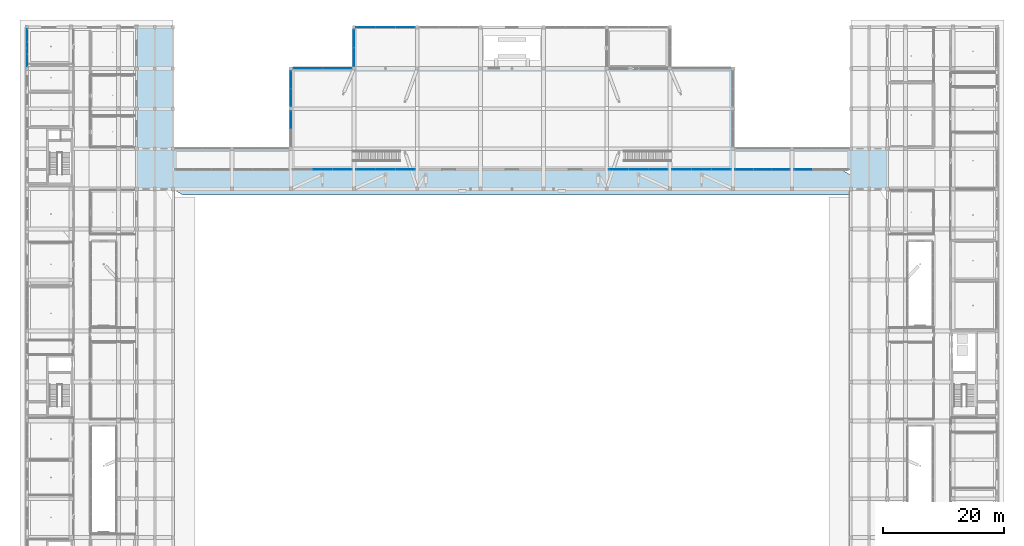
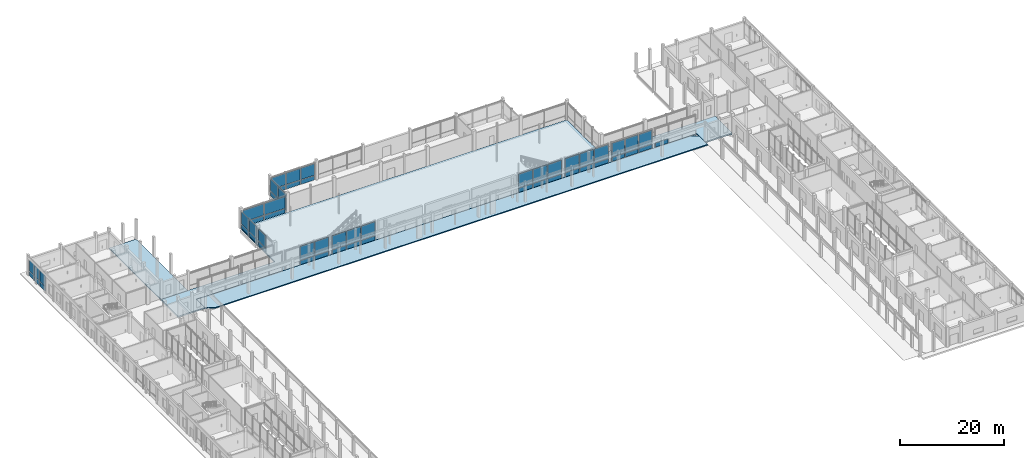
# One storey, part 42 of 88: 55 plates, 3 slabs, 12 elements without a shape of their own.
"""IFC4 building model written with IfcOpenShell, lengths in metres."""

from ifc_helpers import new_model, si_unit, derived_unit, direction, frame, origin, origin_2d, place, context, subcontext, project, spatial, polyline, rectangle, outline, extrude, material, layer, layer_set, type_object, element, aggregate, save


model = new_model("IFC4")

# Units and contexts
model_context = context("Model", 3, precision=1e-05, world=origin(), true_north=direction((0.0, 1.0)))
body_context = subcontext(model_context, "Body", "Model", "MODEL_VIEW")
ifc_project = project(units=[si_unit("LENGTHUNIT", "METRE"), si_unit("AREAUNIT", "SQUARE_METRE"), si_unit("VOLUMEUNIT", "CUBIC_METRE"), si_unit("PLANEANGLEUNIT", "RADIAN"), si_unit("MASSUNIT", "GRAM", prefix="KILO"), derived_unit("THERMALTRANSMITTANCEUNIT", [(si_unit("POWERUNIT", "WATT"), 1), (si_unit("LENGTHUNIT", "METRE"), -2), (si_unit("THERMODYNAMICTEMPERATUREUNIT", "KELVIN"), -1)])], contexts=[model_context])

# Site, building, storey
site_placement = place(None, origin())
site = spatial("IfcSite", under=ifc_project, at=site_placement, CompositionType="ELEMENT")
building_placement = place(site_placement, origin())
building = spatial("IfcBuilding", under=site, at=building_placement, Name="Braskholm Square Health Centre", CompositionType="ELEMENT")
storey_placement = place(building_placement, origin())
storey = spatial("IfcBuildingStorey", under=building, at=storey_placement, Name="L01", CompositionType="ELEMENT", Elevation=0.0)

# Slabs
ifc_material_1 = material(Name="Precast concrete C40/50 architectural white", Category="concrete")
ifc_layer_1 = layer(ifc_material_1, 0.22509765625)
ifc_layer_set_1 = layer_set([ifc_layer_1], Name="Precast concrete C40/50 architectural white")
slab_type_1 = type_object("IfcSlabType", Name="ColonnadeWalkwaySlab225", PredefinedType="FLOOR", material=ifc_layer_set_1)
slab_1_placement = place(storey_placement, frame((0.0, 0.0, -0.22509765625)))
element("IfcSlab", 1, at=slab_1_placement, inside=storey, type_object=slab_type_1, Name="Northwest garden colonnade walkway", PredefinedType="FLOOR", context=body_context, shape_type="SweptSolid", body=[
    extrude(outline(polyline([(22.199951171875, 93.800048828125), (28.199951171875, 93.800048828125), (28.199951171875, 113.800048828125), (22.199951171875, 113.800048828125), (22.199951171875, 93.800048828125)])), origin(), (0.0, 0.0, 1.0), 0.22509765625),
])
slab_2_placement = place(storey_placement, frame((0.0, 0.0, -0.22509765625)))
element("IfcSlab", 2, at=slab_2_placement, inside=storey, type_object=slab_type_1, Name="North Braskholm Square colonnaded entrance arcade and ziggurat portal deck", PredefinedType="FLOOR", context=body_context, shape_type="SweptSolid", body=[
    extrude(outline(polyline([(29.800048828125, 86.199951171875), (139.800048828125, 86.199951171875), (139.800048828125, 89.47607421875), (138.199951171875, 90.39990234375), (28.199951171875, 90.39990234375), (28.199951171875, 87.1240234375), (29.800048828125, 86.199951171875)])), origin(), (0.0, 0.0, 1.0), 0.22509765625),
])

# Curtain wall, plates
ifc_material_2 = material(Name="Low-E triple insulating glass (VLT 0.64)", Category="glass")
curtain_wall_type_1 = type_object("IfcCurtainWallType", Name="UnitisedCurtainWall6200x3800", PredefinedType="NOTDEFINED", material=ifc_material_2)
curtain_wall_1_placement = place(storey_placement, origin())
curtain_wall_1 = element("IfcCurtainWall", 3, at=curtain_wall_1_placement, inside=storey, type_object=curtain_wall_type_1, Name="West Storefront unitised curtain wall CW-L01-0005", PredefinedType="NOTDEFINED")
ifc_material_3 = material(Name="Architectural bronze anodised aluminium", Category="aluminium")
plate_type_1 = type_object("IfcPlateType", Name="CurtainPanelSpandrel1850x1020", PredefinedType="CURTAIN_PANEL", material=ifc_material_3)
plate_1_placement = place(storey_placement, frame((4.199951171875, 112.473388671875, 0.050048828125), z_axis=(0.0, 0.0, 1.0), x_axis=(0.0, -1.0, 0.0)))
plate_1 = element("IfcPlate", 4, at=plate_1_placement, type_object=plate_type_1, Name="CW-L01-0005 spandrel panel 1", PredefinedType="CURTAIN_PANEL", context=body_context, shape_type="SweptSolid", body=[
    extrude(rectangle(XDim=1.948974609375, YDim=0.035888671875, at=origin_2d()), origin(), (0.0, 0.0, 1.0), 1.02001953125),
])
plate_2_placement = place(storey_placement, frame((4.199951171875, 110.39990234375, 0.050048828125), z_axis=(0.0, 0.0, 1.0), x_axis=(0.0, -1.0, 0.0)))
plate_2 = element("IfcPlate", 5, at=plate_2_placement, type_object=plate_type_1, Name="CW-L01-0005 spandrel panel 2", PredefinedType="CURTAIN_PANEL", context=body_context, shape_type="SweptSolid", body=[
    extrude(rectangle(XDim=1.948974609375, YDim=0.035888671875, at=origin_2d()), origin(), (0.0, 0.0, 1.0), 1.02001953125),
])
plate_3_placement = place(storey_placement, frame((4.199951171875, 108.32666015625, 0.050048828125), z_axis=(0.0, 0.0, 1.0), x_axis=(0.0, -1.0, 0.0)))
plate_3 = element("IfcPlate", 6, at=plate_3_placement, type_object=plate_type_1, Name="CW-L01-0005 spandrel panel 3", PredefinedType="CURTAIN_PANEL", context=body_context, shape_type="SweptSolid", body=[
    extrude(rectangle(XDim=1.948974609375, YDim=0.035888671875, at=origin_2d()), origin(), (0.0, 0.0, 1.0), 1.02001953125),
])

curtain_wall_type_2 = type_object("IfcCurtainWallType", Name="UnitisedCurtainWall6200x4400", PredefinedType="NOTDEFINED", material=ifc_material_2)
curtain_wall_2_placement = place(storey_placement, origin())
curtain_wall_2 = element("IfcCurtainWall", 7, at=curtain_wall_2_placement, inside=storey, type_object=curtain_wall_type_2, Name="Hall Arcade unitised curtain wall CW-L01-0201", PredefinedType="NOTDEFINED")
plate_type_2 = type_object("IfcPlateType", Name="CurtainPanelSpandrel2750x1020", PredefinedType="CURTAIN_PANEL", material=ifc_material_3)
plate_4_placement = place(storey_placement, frame((122.216796875, 90.39990234375, 0.050048828125), z_axis=(0.0, 0.0, 1.0), x_axis=(1.0, 0.0, 0.0)))
plate_4 = element("IfcPlate", 8, at=plate_4_placement, type_object=plate_type_2, Name="CW-L01-0201 spandrel panel 1", PredefinedType="CURTAIN_PANEL", context=body_context, shape_type="SweptSolid", body=[
    extrude(rectangle(XDim=2.851318359375, YDim=0.035888671875, at=origin_2d()), origin(), (0.0, 0.0, 1.0), 1.02001953125),
])
plate_5_placement = place(storey_placement, frame((125.25, 90.39990234375, 0.050048828125), z_axis=(0.0, 0.0, 1.0), x_axis=(1.0, 0.0, 0.0)))
plate_5 = element("IfcPlate", 9, at=plate_5_placement, type_object=plate_type_2, Name="CW-L01-0201 spandrel panel 2", PredefinedType="CURTAIN_PANEL", context=body_context, shape_type="SweptSolid", body=[
    extrude(rectangle(XDim=2.851318359375, YDim=0.035888671875, at=origin_2d()), origin(), (0.0, 0.0, 1.0), 1.02001953125),
])
plate_6_placement = place(storey_placement, frame((128.283203125, 90.39990234375, 0.050048828125), z_axis=(0.0, 0.0, 1.0), x_axis=(1.0, 0.0, 0.0)))
plate_6 = element("IfcPlate", 10, at=plate_6_placement, type_object=plate_type_2, Name="CW-L01-0201 spandrel panel 3", PredefinedType="CURTAIN_PANEL", context=body_context, shape_type="SweptSolid", body=[
    extrude(rectangle(XDim=2.851318359375, YDim=0.035888671875, at=origin_2d()), origin(), (0.0, 0.0, 1.0), 1.02001953125),
])

# Curtain wall, plate
curtain_wall_3_placement = place(storey_placement, origin())
curtain_wall_3 = element("IfcCurtainWall", 11, at=curtain_wall_3_placement, inside=storey, type_object=curtain_wall_type_2, Name="Hall Arcade unitised curtain wall CW-L01-0207", PredefinedType="NOTDEFINED")
plate_7_placement = place(storey_placement, frame((131.916748046875, 90.39990234375, 0.050048828125), z_axis=(0.0, 0.0, 1.0), x_axis=(1.0, 0.0, 0.0)))
plate_7 = element("IfcPlate", 12, at=plate_7_placement, type_object=plate_type_2, Name="CW-L01-0207 spandrel panel 1", PredefinedType="CURTAIN_PANEL", context=body_context, shape_type="SweptSolid", body=[
    extrude(rectangle(XDim=2.851318359375, YDim=0.035888671875, at=origin_2d()), origin(), (0.0, 0.0, 1.0), 1.02001953125),
])
aggregate(curtain_wall_3, [plate_7])

# Curtain wall, plates
curtain_wall_type_3 = type_object("IfcCurtainWallType", Name="UnitisedCurtainWall6200x4100", PredefinedType="NOTDEFINED", material=ifc_material_2)
curtain_wall_4_placement = place(storey_placement, origin())
curtain_wall_4 = element("IfcCurtainWall", 13, at=curtain_wall_4_placement, inside=storey, type_object=curtain_wall_type_3, Name="Hall Cheek L01 unitised curtain wall CW-L01-0217", PredefinedType="NOTDEFINED")
plate_8_placement = place(storey_placement, frame((47.60009765625, 105.181884765625, 0.050048828125), z_axis=(0.0, 0.0, 1.0), x_axis=(0.0, -1.0, 0.0)))
plate_8 = element("IfcPlate", 14, at=plate_8_placement, type_object=plate_type_2, Name="CW-L01-0217 spandrel panel 1", PredefinedType="CURTAIN_PANEL", context=body_context, shape_type="SweptSolid", body=[
    extrude(rectangle(XDim=2.820068359375, YDim=0.035888671875, at=origin_2d()), origin(), (0.0, 0.0, 1.0), 1.02001953125),
])
plate_9_placement = place(storey_placement, frame((47.60009765625, 102.218017578125, 0.050048828125), z_axis=(0.0, 0.0, 1.0), x_axis=(0.0, -1.0, 0.0)))
plate_9 = element("IfcPlate", 15, at=plate_9_placement, type_object=plate_type_2, Name="CW-L01-0217 spandrel panel 2", PredefinedType="CURTAIN_PANEL", context=body_context, shape_type="SweptSolid", body=[
    extrude(rectangle(XDim=2.820068359375, YDim=0.035888671875, at=origin_2d()), origin(), (0.0, 0.0, 1.0), 1.02001953125),
])

# Curtain wall, plate
curtain_wall_5_placement = place(storey_placement, origin())
curtain_wall_5 = element("IfcCurtainWall", 16, at=curtain_wall_5_placement, inside=storey, type_object=curtain_wall_type_3, Name="Hall Cheek L01 unitised curtain wall CW-L01-0218", PredefinedType="NOTDEFINED")
plate_10_placement = place(storey_placement, frame((47.60009765625, 98.58203125, 0.050048828125), z_axis=(0.0, 0.0, 1.0), x_axis=(0.0, -1.0, 0.0)))
plate_10 = element("IfcPlate", 17, at=plate_10_placement, type_object=plate_type_2, Name="CW-L01-0218 spandrel panel 1", PredefinedType="CURTAIN_PANEL", context=body_context, shape_type="SweptSolid", body=[
    extrude(rectangle(XDim=2.820068359375, YDim=0.035888671875, at=origin_2d()), origin(), (0.0, 0.0, 1.0), 1.02001953125),
])

# Curtain wall, plates
curtain_wall_6_placement = place(storey_placement, origin())
curtain_wall_6 = element("IfcCurtainWall", 18, at=curtain_wall_6_placement, inside=storey, type_object=curtain_wall_type_3, Name="Hydrotherapy West unitised curtain wall CW-L01-0240", PredefinedType="NOTDEFINED")
plate_11_placement = place(storey_placement, frame((58.0, 111.931396484375, 0.050048828125), z_axis=(0.0, 0.0, 1.0), x_axis=(0.0, -1.0, 0.0)))
plate_11 = element("IfcPlate", 19, at=plate_11_placement, type_object=plate_type_2, Name="CW-L01-0240 spandrel panel 1", PredefinedType="CURTAIN_PANEL", context=body_context, shape_type="SweptSolid", body=[
    extrude(rectangle(XDim=2.9140625, YDim=0.035888671875, at=origin_2d()), origin(), (0.0, 0.0, 1.0), 1.02001953125),
])
plate_12_placement = place(storey_placement, frame((58.0, 108.86865234375, 0.050048828125), z_axis=(0.0, 0.0, 1.0), x_axis=(0.0, -1.0, 0.0)))
plate_12 = element("IfcPlate", 20, at=plate_12_placement, type_object=plate_type_2, Name="CW-L01-0240 spandrel panel 2", PredefinedType="CURTAIN_PANEL", context=body_context, shape_type="SweptSolid", body=[
    extrude(rectangle(XDim=2.9140625, YDim=0.035888671875, at=origin_2d()), origin(), (0.0, 0.0, 1.0), 1.02001953125),
])

curtain_wall_7_placement = place(storey_placement, origin())
curtain_wall_7 = element("IfcCurtainWall", 21, at=curtain_wall_7_placement, inside=storey, type_object=curtain_wall_type_2, Name="Hall Arcade unitised curtain wall CW-L01-0183", PredefinedType="NOTDEFINED")
plate_type_3 = type_object("IfcPlateType", Name="CurtainPanelSpandrel3150x1020", PredefinedType="CURTAIN_PANEL", material=ifc_material_3)
plate_13_placement = place(storey_placement, frame((52.800048828125, 90.39990234375, 0.050048828125), z_axis=(0.0, 0.0, 1.0), x_axis=(1.0, 0.0, 0.0)))
plate_13 = element("IfcPlate", 22, at=plate_13_placement, type_object=plate_type_3, Name="CW-L01-0183 spandrel panel 2", PredefinedType="CURTAIN_PANEL", context=body_context, shape_type="SweptSolid", body=[
    extrude(rectangle(XDim=3.07080078125, YDim=0.035888671875, at=origin_2d()), origin(), (0.0, 0.0, 1.0), 1.02001953125),
])
plate_14_placement = place(storey_placement, frame((56.066650390625, 90.39990234375, 0.050048828125), z_axis=(0.0, 0.0, 1.0), x_axis=(1.0, 0.0, 0.0)))
plate_14 = element("IfcPlate", 23, at=plate_14_placement, type_object=plate_type_3, Name="CW-L01-0183 spandrel panel 3", PredefinedType="CURTAIN_PANEL", context=body_context, shape_type="SweptSolid", body=[
    extrude(rectangle(XDim=3.07080078125, YDim=0.035888671875, at=origin_2d()), origin(), (0.0, 0.0, 1.0), 1.02001953125),
])

curtain_wall_8_placement = place(storey_placement, origin())
curtain_wall_8 = element("IfcCurtainWall", 24, at=curtain_wall_8_placement, inside=storey, type_object=curtain_wall_type_2, Name="Hall Arcade unitised curtain wall CW-L01-0186", PredefinedType="NOTDEFINED")
plate_15_placement = place(storey_placement, frame((59.933349609375, 90.39990234375, 0.050048828125), z_axis=(0.0, 0.0, 1.0), x_axis=(1.0, 0.0, 0.0)))
plate_15 = element("IfcPlate", 25, at=plate_15_placement, type_object=plate_type_3, Name="CW-L01-0186 spandrel panel 1", PredefinedType="CURTAIN_PANEL", context=body_context, shape_type="SweptSolid", body=[
    extrude(rectangle(XDim=3.07080078125, YDim=0.035888671875, at=origin_2d()), origin(), (0.0, 0.0, 1.0), 1.02001953125),
])
plate_16_placement = place(storey_placement, frame((63.199951171875, 90.39990234375, 0.050048828125), z_axis=(0.0, 0.0, 1.0), x_axis=(1.0, 0.0, 0.0)))
plate_16 = element("IfcPlate", 26, at=plate_16_placement, type_object=plate_type_3, Name="CW-L01-0186 spandrel panel 2", PredefinedType="CURTAIN_PANEL", context=body_context, shape_type="SweptSolid", body=[
    extrude(rectangle(XDim=3.07080078125, YDim=0.035888671875, at=origin_2d()), origin(), (0.0, 0.0, 1.0), 1.02001953125),
])
plate_17_placement = place(storey_placement, frame((66.466796875, 90.39990234375, 0.050048828125), z_axis=(0.0, 0.0, 1.0), x_axis=(1.0, 0.0, 0.0)))
plate_17 = element("IfcPlate", 27, at=plate_17_placement, type_object=plate_type_3, Name="CW-L01-0186 spandrel panel 3", PredefinedType="CURTAIN_PANEL", context=body_context, shape_type="SweptSolid", body=[
    extrude(rectangle(XDim=3.07080078125, YDim=0.035888671875, at=origin_2d()), origin(), (0.0, 0.0, 1.0), 1.02001953125),
])

curtain_wall_9_placement = place(storey_placement, origin())
curtain_wall_9 = element("IfcCurtainWall", 28, at=curtain_wall_9_placement, inside=storey, type_object=curtain_wall_type_2, Name="Hall Arcade unitised curtain wall CW-L01-0195", PredefinedType="NOTDEFINED")
plate_18_placement = place(storey_placement, frame((101.533203125, 90.39990234375, 0.050048828125), z_axis=(0.0, 0.0, 1.0), x_axis=(1.0, 0.0, 0.0)))
plate_18 = element("IfcPlate", 29, at=plate_18_placement, type_object=plate_type_3, Name="CW-L01-0195 spandrel panel 1", PredefinedType="CURTAIN_PANEL", context=body_context, shape_type="SweptSolid", body=[
    extrude(rectangle(XDim=3.07080078125, YDim=0.035888671875, at=origin_2d()), origin(), (0.0, 0.0, 1.0), 1.02001953125),
])
plate_19_placement = place(storey_placement, frame((104.800048828125, 90.39990234375, 0.050048828125), z_axis=(0.0, 0.0, 1.0), x_axis=(1.0, 0.0, 0.0)))
plate_19 = element("IfcPlate", 30, at=plate_19_placement, type_object=plate_type_3, Name="CW-L01-0195 spandrel panel 2", PredefinedType="CURTAIN_PANEL", context=body_context, shape_type="SweptSolid", body=[
    extrude(rectangle(XDim=3.07080078125, YDim=0.035888671875, at=origin_2d()), origin(), (0.0, 0.0, 1.0), 1.02001953125),
])
plate_20_placement = place(storey_placement, frame((108.066650390625, 90.39990234375, 0.050048828125), z_axis=(0.0, 0.0, 1.0), x_axis=(1.0, 0.0, 0.0)))
plate_20 = element("IfcPlate", 31, at=plate_20_placement, type_object=plate_type_3, Name="CW-L01-0195 spandrel panel 3", PredefinedType="CURTAIN_PANEL", context=body_context, shape_type="SweptSolid", body=[
    extrude(rectangle(XDim=3.07080078125, YDim=0.035888671875, at=origin_2d()), origin(), (0.0, 0.0, 1.0), 1.02001953125),
])

curtain_wall_10_placement = place(storey_placement, origin())
curtain_wall_10 = element("IfcCurtainWall", 32, at=curtain_wall_10_placement, inside=storey, type_object=curtain_wall_type_2, Name="Hall Arcade unitised curtain wall CW-L01-0198", PredefinedType="NOTDEFINED")
plate_21_placement = place(storey_placement, frame((111.933349609375, 90.39990234375, 0.050048828125), z_axis=(0.0, 0.0, 1.0), x_axis=(1.0, 0.0, 0.0)))
plate_21 = element("IfcPlate", 33, at=plate_21_placement, type_object=plate_type_3, Name="CW-L01-0198 spandrel panel 1", PredefinedType="CURTAIN_PANEL", context=body_context, shape_type="SweptSolid", body=[
    extrude(rectangle(XDim=3.07080078125, YDim=0.035888671875, at=origin_2d()), origin(), (0.0, 0.0, 1.0), 1.02001953125),
])
plate_22_placement = place(storey_placement, frame((115.199951171875, 90.39990234375, 0.050048828125), z_axis=(0.0, 0.0, 1.0), x_axis=(1.0, 0.0, 0.0)))
plate_22 = element("IfcPlate", 34, at=plate_22_placement, type_object=plate_type_3, Name="CW-L01-0198 spandrel panel 2", PredefinedType="CURTAIN_PANEL", context=body_context, shape_type="SweptSolid", body=[
    extrude(rectangle(XDim=3.07080078125, YDim=0.035888671875, at=origin_2d()), origin(), (0.0, 0.0, 1.0), 1.02001953125),
])
plate_23_placement = place(storey_placement, frame((118.466796875, 90.39990234375, 0.050048828125), z_axis=(0.0, 0.0, 1.0), x_axis=(1.0, 0.0, 0.0)))
plate_23 = element("IfcPlate", 35, at=plate_23_placement, type_object=plate_type_3, Name="CW-L01-0198 spandrel panel 3", PredefinedType="CURTAIN_PANEL", context=body_context, shape_type="SweptSolid", body=[
    extrude(rectangle(XDim=3.07080078125, YDim=0.035888671875, at=origin_2d()), origin(), (0.0, 0.0, 1.0), 1.02001953125),
])

curtain_wall_11_placement = place(storey_placement, origin())
curtain_wall_11 = element("IfcCurtainWall", 36, at=curtain_wall_11_placement, inside=storey, type_object=curtain_wall_type_3, Name="Hydrotherapy North unitised curtain wall CW-L01-0236", PredefinedType="NOTDEFINED")
plate_24_placement = place(storey_placement, frame((66.466796875, 113.800048828125, 0.050048828125), z_axis=(0.0, 0.0, 1.0), x_axis=(-1.0, 0.0, 0.0)))
plate_24 = element("IfcPlate", 37, at=plate_24_placement, type_object=plate_type_3, Name="CW-L01-0236 spandrel panel 1", PredefinedType="CURTAIN_PANEL", context=body_context, shape_type="SweptSolid", body=[
    extrude(rectangle(XDim=3.07080078125, YDim=0.035888671875, at=origin_2d()), origin(), (0.0, 0.0, 1.0), 1.02001953125),
])
plate_25_placement = place(storey_placement, frame((63.199951171875, 113.800048828125, 0.050048828125), z_axis=(0.0, 0.0, 1.0), x_axis=(-1.0, 0.0, 0.0)))
plate_25 = element("IfcPlate", 38, at=plate_25_placement, type_object=plate_type_3, Name="CW-L01-0236 spandrel panel 2", PredefinedType="CURTAIN_PANEL", context=body_context, shape_type="SweptSolid", body=[
    extrude(rectangle(XDim=3.07080078125, YDim=0.035888671875, at=origin_2d()), origin(), (0.0, 0.0, 1.0), 1.02001953125),
])
plate_26_placement = place(storey_placement, frame((59.933349609375, 113.800048828125, 0.050048828125), z_axis=(0.0, 0.0, 1.0), x_axis=(-1.0, 0.0, 0.0)))
plate_26 = element("IfcPlate", 39, at=plate_26_placement, type_object=plate_type_3, Name="CW-L01-0236 spandrel panel 3", PredefinedType="CURTAIN_PANEL", context=body_context, shape_type="SweptSolid", body=[
    extrude(rectangle(XDim=3.07080078125, YDim=0.035888671875, at=origin_2d()), origin(), (0.0, 0.0, 1.0), 1.02001953125),
])

curtain_wall_12_placement = place(storey_placement, origin())
curtain_wall_12 = element("IfcCurtainWall", 40, at=curtain_wall_12_placement, inside=storey, type_object=curtain_wall_type_3, Name="Hall North unitised curtain wall CW-L01-0213", PredefinedType="NOTDEFINED")
plate_type_4 = type_object("IfcPlateType", Name="CurtainPanelSpandrel4350x1020", PredefinedType="CURTAIN_PANEL", material=ifc_material_3)
plate_27_placement = place(storey_placement, frame((55.220703125, 107.0, 0.050048828125), z_axis=(0.0, 0.0, 1.0), x_axis=(-1.0, 0.0, 0.0)))
plate_27 = element("IfcPlate", 41, at=plate_27_placement, type_object=plate_type_4, Name="CW-L01-0213 spandrel panel 1", PredefinedType="CURTAIN_PANEL", context=body_context, shape_type="SweptSolid", body=[
    extrude(rectangle(XDim=4.60595703125, YDim=0.035888671875, at=origin_2d()), origin(), (0.0, 0.0, 1.0), 1.02001953125),
])
plate_28_placement = place(storey_placement, frame((50.37939453125, 107.0, 0.050048828125), z_axis=(0.0, 0.0, 1.0), x_axis=(-1.0, 0.0, 0.0)))
plate_28 = element("IfcPlate", 42, at=plate_28_placement, type_object=plate_type_4, Name="CW-L01-0213 spandrel panel 2", PredefinedType="CURTAIN_PANEL", context=body_context, shape_type="SweptSolid", body=[
    extrude(rectangle(XDim=4.60595703125, YDim=0.035888671875, at=origin_2d()), origin(), (0.0, 0.0, 1.0), 1.02001953125),
])

# Plate
plate_type_5 = type_object("IfcPlateType", Name="CurtainPanelVision1850x2520", PredefinedType="CURTAIN_PANEL", material=ifc_material_2)
plate_29_placement = place(storey_placement, frame((4.199951171875, 112.473388671875, 1.169921875), z_axis=(0.0, 0.0, 1.0), x_axis=(0.0, -1.0, 0.0)))
plate_29 = element("IfcPlate", 43, at=plate_29_placement, type_object=plate_type_5, Name="CW-L01-0005 vision glass panel 1", PredefinedType="CURTAIN_PANEL", context=body_context, shape_type="SweptSolid", body=[
    extrude(rectangle(XDim=1.948974609375, YDim=0.035888671875, at=origin_2d()), origin(), (0.0, 0.0, 1.0), 2.590087890625),
])

plate_30_placement = place(storey_placement, frame((4.199951171875, 110.39990234375, 1.169921875), z_axis=(0.0, 0.0, 1.0), x_axis=(0.0, -1.0, 0.0)))
plate_30 = element("IfcPlate", 44, at=plate_30_placement, type_object=plate_type_5, Name="CW-L01-0005 vision glass panel 2", PredefinedType="CURTAIN_PANEL", context=body_context, shape_type="SweptSolid", body=[
    extrude(rectangle(XDim=1.948974609375, YDim=0.035888671875, at=origin_2d()), origin(), (0.0, 0.0, 1.0), 2.590087890625),
])

plate_31_placement = place(storey_placement, frame((4.199951171875, 108.32666015625, 1.169921875), z_axis=(0.0, 0.0, 1.0), x_axis=(0.0, -1.0, 0.0)))
plate_31 = element("IfcPlate", 45, at=plate_31_placement, type_object=plate_type_5, Name="CW-L01-0005 vision glass panel 3", PredefinedType="CURTAIN_PANEL", context=body_context, shape_type="SweptSolid", body=[
    extrude(rectangle(XDim=1.948974609375, YDim=0.035888671875, at=origin_2d()), origin(), (0.0, 0.0, 1.0), 2.590087890625),
])

aggregate(curtain_wall_1, [plate_1, plate_29, plate_2, plate_30, plate_3, plate_31])

plate_type_6 = type_object("IfcPlateType", Name="CurtainPanelVision2750x2950", PredefinedType="CURTAIN_PANEL", material=ifc_material_2)
plate_32_placement = place(storey_placement, frame((122.216796875, 90.39990234375, 1.169921875), z_axis=(0.0, 0.0, 1.0), x_axis=(1.0, 0.0, 0.0)))
plate_32 = element("IfcPlate", 46, at=plate_32_placement, type_object=plate_type_6, Name="CW-L01-0201 vision glass panel 1", PredefinedType="CURTAIN_PANEL", context=body_context, shape_type="SweptSolid", body=[
    extrude(rectangle(XDim=2.851318359375, YDim=0.035888671875, at=origin_2d()), origin(), (0.0, 0.0, 1.0), 3.219970703125),
])

plate_33_placement = place(storey_placement, frame((125.25, 90.39990234375, 1.169921875), z_axis=(0.0, 0.0, 1.0), x_axis=(1.0, 0.0, 0.0)))
plate_33 = element("IfcPlate", 47, at=plate_33_placement, type_object=plate_type_6, Name="CW-L01-0201 vision glass panel 2", PredefinedType="CURTAIN_PANEL", context=body_context, shape_type="SweptSolid", body=[
    extrude(rectangle(XDim=2.851318359375, YDim=0.035888671875, at=origin_2d()), origin(), (0.0, 0.0, 1.0), 3.219970703125),
])

plate_34_placement = place(storey_placement, frame((128.283203125, 90.39990234375, 1.169921875), z_axis=(0.0, 0.0, 1.0), x_axis=(1.0, 0.0, 0.0)))
plate_34 = element("IfcPlate", 48, at=plate_34_placement, type_object=plate_type_6, Name="CW-L01-0201 vision glass panel 3", PredefinedType="CURTAIN_PANEL", context=body_context, shape_type="SweptSolid", body=[
    extrude(rectangle(XDim=2.851318359375, YDim=0.035888671875, at=origin_2d()), origin(), (0.0, 0.0, 1.0), 3.219970703125),
])

aggregate(curtain_wall_2, [plate_4, plate_32, plate_5, plate_33, plate_6, plate_34])

plate_35_placement = place(storey_placement, frame((47.60009765625, 105.181884765625, 1.169921875), z_axis=(0.0, 0.0, 1.0), x_axis=(0.0, -1.0, 0.0)))
plate_35 = element("IfcPlate", 49, at=plate_35_placement, type_object=plate_type_6, Name="CW-L01-0217 vision glass panel 1", PredefinedType="CURTAIN_PANEL", context=body_context, shape_type="SweptSolid", body=[
    extrude(rectangle(XDim=2.820068359375, YDim=0.035888671875, at=origin_2d()), origin(), (0.0, 0.0, 1.0), 2.840087890625),
])

plate_36_placement = place(storey_placement, frame((47.60009765625, 102.218017578125, 1.169921875), z_axis=(0.0, 0.0, 1.0), x_axis=(0.0, -1.0, 0.0)))
plate_36 = element("IfcPlate", 50, at=plate_36_placement, type_object=plate_type_6, Name="CW-L01-0217 vision glass panel 2", PredefinedType="CURTAIN_PANEL", context=body_context, shape_type="SweptSolid", body=[
    extrude(rectangle(XDim=2.820068359375, YDim=0.035888671875, at=origin_2d()), origin(), (0.0, 0.0, 1.0), 2.840087890625),
])

aggregate(curtain_wall_4, [plate_8, plate_35, plate_9, plate_36])

plate_37_placement = place(storey_placement, frame((47.60009765625, 98.58203125, 1.169921875), z_axis=(0.0, 0.0, 1.0), x_axis=(0.0, -1.0, 0.0)))
plate_37 = element("IfcPlate", 51, at=plate_37_placement, type_object=plate_type_6, Name="CW-L01-0218 vision glass panel 1", PredefinedType="CURTAIN_PANEL", context=body_context, shape_type="SweptSolid", body=[
    extrude(rectangle(XDim=2.820068359375, YDim=0.035888671875, at=origin_2d()), origin(), (0.0, 0.0, 1.0), 2.840087890625),
])

aggregate(curtain_wall_5, [plate_10, plate_37])

plate_38_placement = place(storey_placement, frame((58.0, 111.931396484375, 1.169921875), z_axis=(0.0, 0.0, 1.0), x_axis=(0.0, -1.0, 0.0)))
plate_38 = element("IfcPlate", 52, at=plate_38_placement, type_object=plate_type_6, Name="CW-L01-0240 vision glass panel 1", PredefinedType="CURTAIN_PANEL", context=body_context, shape_type="SweptSolid", body=[
    extrude(rectangle(XDim=2.9140625, YDim=0.035888671875, at=origin_2d()), origin(), (0.0, 0.0, 1.0), 2.840087890625),
])

plate_39_placement = place(storey_placement, frame((58.0, 108.86865234375, 1.169921875), z_axis=(0.0, 0.0, 1.0), x_axis=(0.0, -1.0, 0.0)))
plate_39 = element("IfcPlate", 53, at=plate_39_placement, type_object=plate_type_6, Name="CW-L01-0240 vision glass panel 2", PredefinedType="CURTAIN_PANEL", context=body_context, shape_type="SweptSolid", body=[
    extrude(rectangle(XDim=2.9140625, YDim=0.035888671875, at=origin_2d()), origin(), (0.0, 0.0, 1.0), 2.840087890625),
])

aggregate(curtain_wall_6, [plate_11, plate_38, plate_12, plate_39])

plate_type_7 = type_object("IfcPlateType", Name="CurtainPanelVision3150x2520", PredefinedType="CURTAIN_PANEL", material=ifc_material_2)
plate_40_placement = place(storey_placement, frame((66.466796875, 113.800048828125, 1.169921875), z_axis=(0.0, 0.0, 1.0), x_axis=(-1.0, 0.0, 0.0)))
plate_40 = element("IfcPlate", 54, at=plate_40_placement, type_object=plate_type_7, Name="CW-L01-0236 vision glass panel 1", PredefinedType="CURTAIN_PANEL", context=body_context, shape_type="SweptSolid", body=[
    extrude(rectangle(XDim=3.07080078125, YDim=0.035888671875, at=origin_2d()), origin(), (0.0, 0.0, 1.0), 2.719970703125),
])

plate_41_placement = place(storey_placement, frame((63.199951171875, 113.800048828125, 1.169921875), z_axis=(0.0, 0.0, 1.0), x_axis=(-1.0, 0.0, 0.0)))
plate_41 = element("IfcPlate", 55, at=plate_41_placement, type_object=plate_type_7, Name="CW-L01-0236 vision glass panel 2", PredefinedType="CURTAIN_PANEL", context=body_context, shape_type="SweptSolid", body=[
    extrude(rectangle(XDim=3.07080078125, YDim=0.035888671875, at=origin_2d()), origin(), (0.0, 0.0, 1.0), 2.719970703125),
])

plate_42_placement = place(storey_placement, frame((59.933349609375, 113.800048828125, 1.169921875), z_axis=(0.0, 0.0, 1.0), x_axis=(-1.0, 0.0, 0.0)))
plate_42 = element("IfcPlate", 56, at=plate_42_placement, type_object=plate_type_7, Name="CW-L01-0236 vision glass panel 3", PredefinedType="CURTAIN_PANEL", context=body_context, shape_type="SweptSolid", body=[
    extrude(rectangle(XDim=3.07080078125, YDim=0.035888671875, at=origin_2d()), origin(), (0.0, 0.0, 1.0), 2.719970703125),
])

aggregate(curtain_wall_11, [plate_24, plate_40, plate_25, plate_41, plate_26, plate_42])

plate_type_8 = type_object("IfcPlateType", Name="CurtainPanelVision3150x2950", PredefinedType="CURTAIN_PANEL", material=ifc_material_2)
plate_43_placement = place(storey_placement, frame((52.800048828125, 90.39990234375, 1.169921875), z_axis=(0.0, 0.0, 1.0), x_axis=(1.0, 0.0, 0.0)))
plate_43 = element("IfcPlate", 57, at=plate_43_placement, type_object=plate_type_8, Name="CW-L01-0183 vision glass panel 2", PredefinedType="CURTAIN_PANEL", context=body_context, shape_type="SweptSolid", body=[
    extrude(rectangle(XDim=3.07080078125, YDim=0.035888671875, at=origin_2d()), origin(), (0.0, 0.0, 1.0), 3.219970703125),
])

plate_44_placement = place(storey_placement, frame((56.066650390625, 90.39990234375, 1.169921875), z_axis=(0.0, 0.0, 1.0), x_axis=(1.0, 0.0, 0.0)))
plate_44 = element("IfcPlate", 58, at=plate_44_placement, type_object=plate_type_8, Name="CW-L01-0183 vision glass panel 3", PredefinedType="CURTAIN_PANEL", context=body_context, shape_type="SweptSolid", body=[
    extrude(rectangle(XDim=3.07080078125, YDim=0.035888671875, at=origin_2d()), origin(), (0.0, 0.0, 1.0), 3.219970703125),
])

aggregate(curtain_wall_7, [plate_13, plate_43, plate_14, plate_44])

plate_45_placement = place(storey_placement, frame((59.933349609375, 90.39990234375, 1.169921875), z_axis=(0.0, 0.0, 1.0), x_axis=(1.0, 0.0, 0.0)))
plate_45 = element("IfcPlate", 59, at=plate_45_placement, type_object=plate_type_8, Name="CW-L01-0186 vision glass panel 1", PredefinedType="CURTAIN_PANEL", context=body_context, shape_type="SweptSolid", body=[
    extrude(rectangle(XDim=3.07080078125, YDim=0.035888671875, at=origin_2d()), origin(), (0.0, 0.0, 1.0), 3.219970703125),
])

plate_46_placement = place(storey_placement, frame((63.199951171875, 90.39990234375, 1.169921875), z_axis=(0.0, 0.0, 1.0), x_axis=(1.0, 0.0, 0.0)))
plate_46 = element("IfcPlate", 60, at=plate_46_placement, type_object=plate_type_8, Name="CW-L01-0186 vision glass panel 2", PredefinedType="CURTAIN_PANEL", context=body_context, shape_type="SweptSolid", body=[
    extrude(rectangle(XDim=3.07080078125, YDim=0.035888671875, at=origin_2d()), origin(), (0.0, 0.0, 1.0), 3.219970703125),
])

plate_47_placement = place(storey_placement, frame((66.466796875, 90.39990234375, 1.169921875), z_axis=(0.0, 0.0, 1.0), x_axis=(1.0, 0.0, 0.0)))
plate_47 = element("IfcPlate", 61, at=plate_47_placement, type_object=plate_type_8, Name="CW-L01-0186 vision glass panel 3", PredefinedType="CURTAIN_PANEL", context=body_context, shape_type="SweptSolid", body=[
    extrude(rectangle(XDim=3.07080078125, YDim=0.035888671875, at=origin_2d()), origin(), (0.0, 0.0, 1.0), 3.219970703125),
])

aggregate(curtain_wall_8, [plate_15, plate_45, plate_16, plate_46, plate_17, plate_47])

plate_48_placement = place(storey_placement, frame((101.533203125, 90.39990234375, 1.169921875), z_axis=(0.0, 0.0, 1.0), x_axis=(1.0, 0.0, 0.0)))
plate_48 = element("IfcPlate", 62, at=plate_48_placement, type_object=plate_type_8, Name="CW-L01-0195 vision glass panel 1", PredefinedType="CURTAIN_PANEL", context=body_context, shape_type="SweptSolid", body=[
    extrude(rectangle(XDim=3.07080078125, YDim=0.035888671875, at=origin_2d()), origin(), (0.0, 0.0, 1.0), 3.219970703125),
])

plate_49_placement = place(storey_placement, frame((104.800048828125, 90.39990234375, 1.169921875), z_axis=(0.0, 0.0, 1.0), x_axis=(1.0, 0.0, 0.0)))
plate_49 = element("IfcPlate", 63, at=plate_49_placement, type_object=plate_type_8, Name="CW-L01-0195 vision glass panel 2", PredefinedType="CURTAIN_PANEL", context=body_context, shape_type="SweptSolid", body=[
    extrude(rectangle(XDim=3.07080078125, YDim=0.035888671875, at=origin_2d()), origin(), (0.0, 0.0, 1.0), 3.219970703125),
])

plate_50_placement = place(storey_placement, frame((108.066650390625, 90.39990234375, 1.169921875), z_axis=(0.0, 0.0, 1.0), x_axis=(1.0, 0.0, 0.0)))
plate_50 = element("IfcPlate", 64, at=plate_50_placement, type_object=plate_type_8, Name="CW-L01-0195 vision glass panel 3", PredefinedType="CURTAIN_PANEL", context=body_context, shape_type="SweptSolid", body=[
    extrude(rectangle(XDim=3.07080078125, YDim=0.035888671875, at=origin_2d()), origin(), (0.0, 0.0, 1.0), 3.219970703125),
])

aggregate(curtain_wall_9, [plate_18, plate_48, plate_19, plate_49, plate_20, plate_50])

plate_51_placement = place(storey_placement, frame((111.933349609375, 90.39990234375, 1.169921875), z_axis=(0.0, 0.0, 1.0), x_axis=(1.0, 0.0, 0.0)))
plate_51 = element("IfcPlate", 65, at=plate_51_placement, type_object=plate_type_8, Name="CW-L01-0198 vision glass panel 1", PredefinedType="CURTAIN_PANEL", context=body_context, shape_type="SweptSolid", body=[
    extrude(rectangle(XDim=3.07080078125, YDim=0.035888671875, at=origin_2d()), origin(), (0.0, 0.0, 1.0), 3.219970703125),
])

plate_52_placement = place(storey_placement, frame((115.199951171875, 90.39990234375, 1.169921875), z_axis=(0.0, 0.0, 1.0), x_axis=(1.0, 0.0, 0.0)))
plate_52 = element("IfcPlate", 66, at=plate_52_placement, type_object=plate_type_8, Name="CW-L01-0198 vision glass panel 2", PredefinedType="CURTAIN_PANEL", context=body_context, shape_type="SweptSolid", body=[
    extrude(rectangle(XDim=3.07080078125, YDim=0.035888671875, at=origin_2d()), origin(), (0.0, 0.0, 1.0), 3.219970703125),
])

plate_53_placement = place(storey_placement, frame((118.466796875, 90.39990234375, 1.169921875), z_axis=(0.0, 0.0, 1.0), x_axis=(1.0, 0.0, 0.0)))
plate_53 = element("IfcPlate", 67, at=plate_53_placement, type_object=plate_type_8, Name="CW-L01-0198 vision glass panel 3", PredefinedType="CURTAIN_PANEL", context=body_context, shape_type="SweptSolid", body=[
    extrude(rectangle(XDim=3.07080078125, YDim=0.035888671875, at=origin_2d()), origin(), (0.0, 0.0, 1.0), 3.219970703125),
])

aggregate(curtain_wall_10, [plate_21, plate_51, plate_22, plate_52, plate_23, plate_53])

plate_type_9 = type_object("IfcPlateType", Name="CurtainPanelVision4350x2950", PredefinedType="CURTAIN_PANEL", material=ifc_material_2)
plate_54_placement = place(storey_placement, frame((55.220703125, 107.0, 1.169921875), z_axis=(0.0, 0.0, 1.0), x_axis=(-1.0, 0.0, 0.0)))
plate_54 = element("IfcPlate", 68, at=plate_54_placement, type_object=plate_type_9, Name="CW-L01-0213 vision glass panel 1", PredefinedType="CURTAIN_PANEL", context=body_context, shape_type="SweptSolid", body=[
    extrude(rectangle(XDim=4.60595703125, YDim=0.035888671875, at=origin_2d()), origin(), (0.0, 0.0, 1.0), 2.757080078125),
])

plate_55_placement = place(storey_placement, frame((50.37939453125, 107.0, 1.169921875), z_axis=(0.0, 0.0, 1.0), x_axis=(-1.0, 0.0, 0.0)))
plate_55 = element("IfcPlate", 69, at=plate_55_placement, type_object=plate_type_9, Name="CW-L01-0213 vision glass panel 2", PredefinedType="CURTAIN_PANEL", context=body_context, shape_type="SweptSolid", body=[
    extrude(rectangle(XDim=4.60595703125, YDim=0.035888671875, at=origin_2d()), origin(), (0.0, 0.0, 1.0), 2.757080078125),
])

aggregate(curtain_wall_12, [plate_27, plate_54, plate_28, plate_55])

# Slab
ifc_material_4 = material(Name="Concrete C35/45 (f'c = 35 MPa)", Category="concrete")
ifc_layer_2 = layer(ifc_material_4, 0.300048828125)
ifc_layer_set_2 = layer_set([ifc_layer_2], Name="Concrete C35/45 (f'c = 35 MPa)")
slab_type_2 = type_object("IfcSlabType", Name="TwoWayClinicalFlatSlab300", PredefinedType="FLOOR", material=ifc_layer_set_2)
slab_3_placement = place(storey_placement, frame((0.0, 0.0, -0.300048828125)))
element("IfcSlab", 70, at=slab_3_placement, inside=storey, type_object=slab_type_2, Name="Level L01 V1 Shared Conservatory Waiting Hall and concourse slab", PredefinedType="FLOOR", context=body_context, shape_type="SweptSolid", body=[
    extrude(outline(polyline([(22.199951171875, 87.199951171875), (28.199951171875, 87.199951171875), (28.199951171875, 90.39990234375), (139.800048828125, 90.39990234375), (139.800048828125, 87.199951171875), (145.800048828125, 87.199951171875), (145.800048828125, 93.800048828125), (120.39990234375, 93.800048828125), (120.39990234375, 107.0), (47.60009765625, 107.0), (47.60009765625, 93.800048828125), (22.199951171875, 93.800048828125), (22.199951171875, 87.199951171875)])), origin(), (0.0, 0.0, 1.0), 0.300048828125),
])

save(model, "model.ifc")
